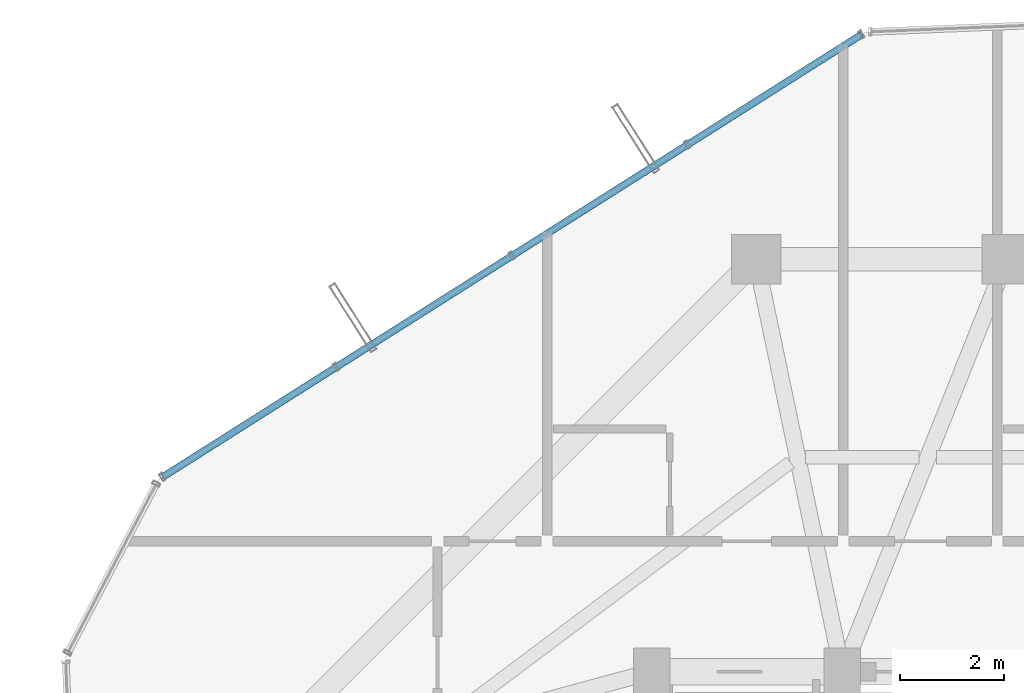
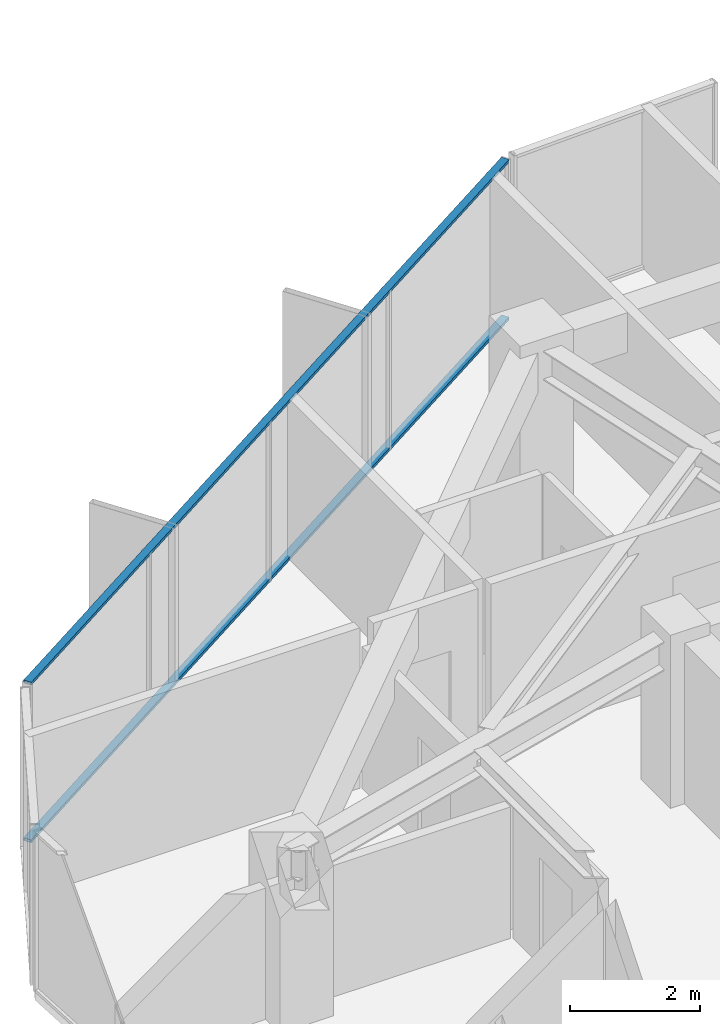
# One storey, part 23 of 33: 2 members, 1 element without a shape of its own.
"""IFC4 building model written with IfcOpenShell, lengths in metres."""

from ifc_helpers import new_model, si_unit, direction, frame, origin, origin_2d, place, context, subcontext, project, spatial, hollow_rectangle, extrude, source, transform, mapped, material, layer, layer_set, material_profile, profile_set, type_object, element, aggregate, save


model = new_model("IFC4")

# Units and contexts
model_context = context("Model", 3, precision=1e-05, world=origin(), true_north=direction((0.0, 1.0)))
body_context = subcontext(model_context, "Body", "Model", "MODEL_VIEW")
ifc_project = project(units=[si_unit("LENGTHUNIT", "METRE"), si_unit("AREAUNIT", "SQUARE_METRE"), si_unit("VOLUMEUNIT", "CUBIC_METRE"), si_unit("PLANEANGLEUNIT", "RADIAN"), si_unit("MASSUNIT", "GRAM", prefix="KILO")], contexts=[model_context])

# Site, building, storey
site_placement = place(None, origin())
site = spatial("IfcSite", under=ifc_project, at=site_placement, CompositionType="ELEMENT")
building_placement = place(site_placement, origin())
building = spatial("IfcBuilding", under=site, at=building_placement, Name="Veraguas Prism Commons", CompositionType="ELEMENT")
storey_placement = place(building_placement, frame((0.0, 0.0, 198.35009765625)))
storey = spatial("IfcBuildingStorey", under=building, at=storey_placement, Name="L56", CompositionType="ELEMENT", Elevation=198.35009765625)

# Curtain wall, members
ifc_material = material(Name="Anodised aluminium EN AW-6063 T6", Category="aluminium")
ifc_layer = layer(ifc_material, 0.14990234375, Name="Unitised Flush Curtain Wall Zone 3", Category="aluminium")
ifc_layer_set = layer_set([ifc_layer], Name="Anodised aluminium EN AW-6063 T6")
curtain_wall_type = type_object("IfcCurtainWallType", Name="Unitised Flush Curtain Wall Zone 3", PredefinedType="NOTDEFINED", material=ifc_layer_set)
curtain_wall_placement = place(storey_placement, origin())
curtain_wall = element("IfcCurtainWall", 1, at=curtain_wall_placement, inside=storey, type_object=curtain_wall_type, Name="Tower Facade Curtain Wall L56-F2", PredefinedType="NOTDEFINED")
ifc_material_profile = material_profile(ifc_material, hollow_rectangle(XDim=0.054931640625, YDim=0.135009765625, WallThickness=0.0029296875, at=origin_2d()), Name="AL55X135X3")
ifc_profile_set = profile_set([ifc_material_profile], Name="Anodised aluminium EN AW-6063 T6")
member_type = type_object("IfcMemberType", Name="Curtain Wall Transom Standard AL 55x135x3", PredefinedType="USERDEFINED", material=ifc_profile_set)
shared_shape = source(origin(), body_context, "Body", "SweptSolid", [
    extrude(hollow_rectangle(XDim=0.054931640625, YDim=0.135009765625, WallThickness=0.0029296875, at=origin_2d()), origin(), (0.0, 0.0, 1.0), 15.84228515625),
])
member_1_placement = place(storey_placement, frame((21.218505859375, 43.200439453125, 0.02734375), z_axis=(-0.844892210486, -0.534936587513, 0.0), x_axis=(0.0, 0.0, 1.0)))
member_1 = element("IfcMember", 2, at=member_1_placement, type_object=member_type, Name="CW-Z3 Transom 1", ObjectType="TRANSOM", PredefinedType="USERDEFINED", context=body_context, shape_type="MappedRepresentation", body=[
    mapped(shared_shape, transform((0.0, 0.0, 0.0), scale=1.0)),
])
member_2_placement = place(storey_placement, frame((21.218505859375, 43.200439453125, 2.9873046875), z_axis=(-0.844892210486, -0.534936587513, 0.0), x_axis=(0.0, 0.0, 1.0)))
member_2 = element("IfcMember", 3, at=member_2_placement, type_object=member_type, Name="CW-Z3 Transom 2", ObjectType="TRANSOM", PredefinedType="USERDEFINED", context=body_context, shape_type="MappedRepresentation", body=[
    mapped(shared_shape, transform((0.0, 0.0, 0.0), scale=1.0)),
])
aggregate(curtain_wall, [member_1, member_2])

save(model, "model.ifc")
